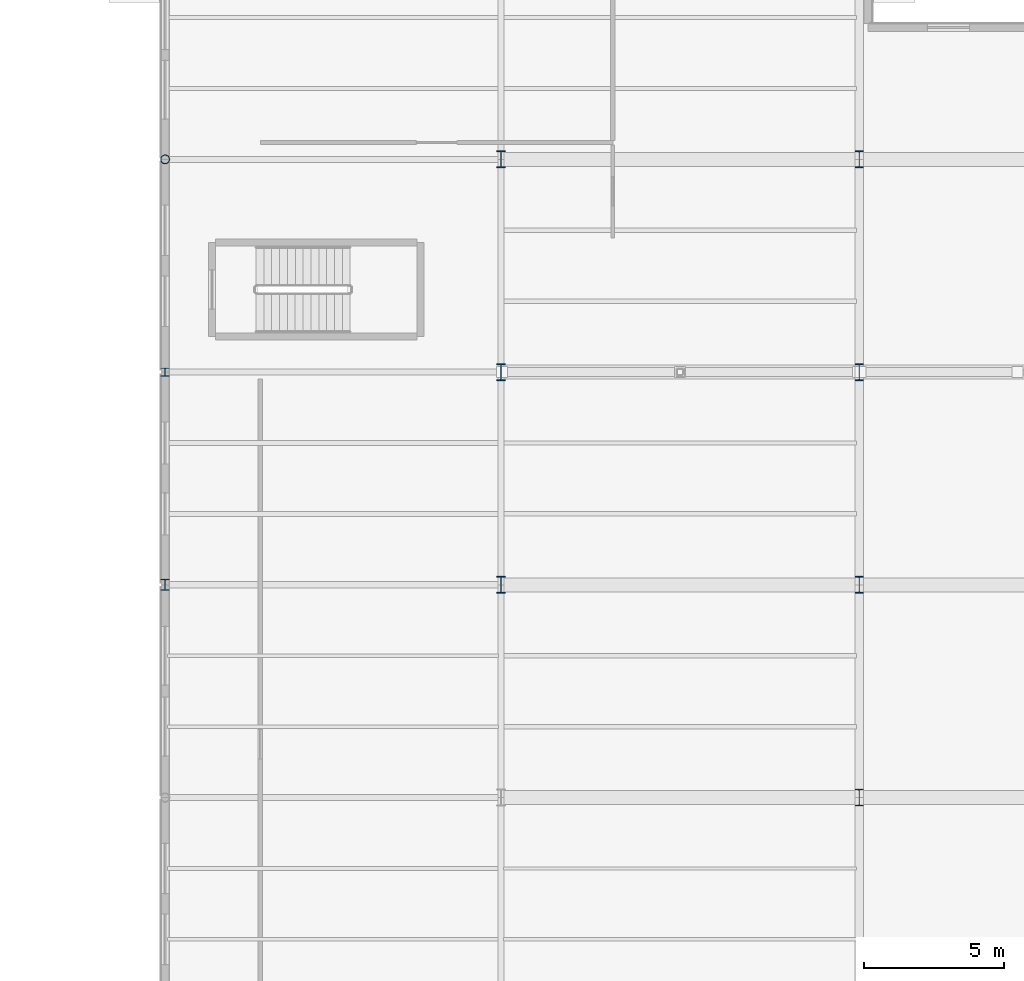
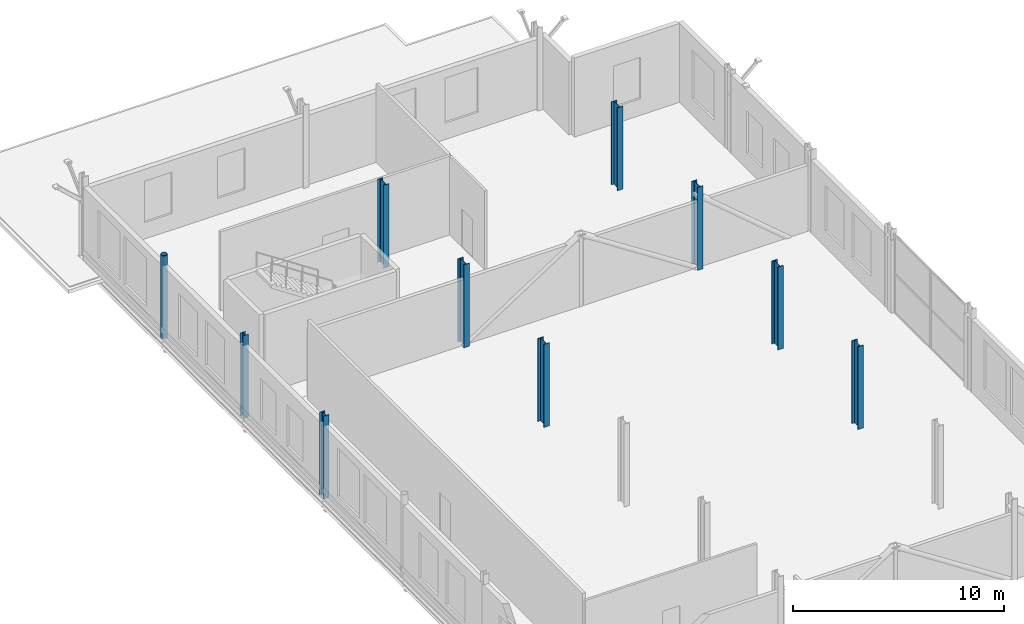
# One storey, part 14 of 120: 10 columns.
"""IFC4 building model written with IfcOpenShell, lengths in metres."""

from ifc_helpers import new_model, si_unit, direction, frame, origin, origin_2d, place, context, subcontext, project, spatial, hollow_circle, i_section, extrude, material, material_profile, profile_set, type_object, element, save


model = new_model("IFC4")

# Units and contexts
model_context = context("Model", 3, precision=1e-05, world=origin(), true_north=direction((0.0, 1.0)))
body_context = subcontext(model_context, "Body", "Model", "MODEL_VIEW")
ifc_project = project(units=[si_unit("LENGTHUNIT", "METRE"), si_unit("AREAUNIT", "SQUARE_METRE"), si_unit("VOLUMEUNIT", "CUBIC_METRE"), si_unit("PLANEANGLEUNIT", "RADIAN"), si_unit("MASSUNIT", "GRAM", prefix="KILO")], contexts=[model_context])

# Site, building, storey
site_placement = place(None, origin())
site = spatial("IfcSite", under=ifc_project, at=site_placement, CompositionType="ELEMENT")
building_placement = place(site_placement, origin())
building = spatial("IfcBuilding", under=site, at=building_placement, Name="Vekula Escarpment Museum", CompositionType="ELEMENT")
storey_placement = place(building_placement, frame((0.0, 0.0, 13.199951171875)))
storey = spatial("IfcBuildingStorey", under=building, at=storey_placement, Name="L03", CompositionType="ELEMENT", Elevation=13.199951171875)

# Columns
ifc_material_1 = material(Name="Steel S355", Category="steel")
ifc_material_profile_1 = material_profile(ifc_material_1, hollow_circle(Radius=0.161865234375, WallThickness=0.01611328125, at=origin_2d()), Name="CHS 323.9x16")
ifc_profile_set_1 = profile_set([ifc_material_profile_1], Name="Steel S355")
column_type_1 = type_object("IfcColumnType", Name="COL-S-CHS323", PredefinedType="COLUMN", material=ifc_profile_set_1)
column_1_placement = place(storey_placement, frame((167.0, 120.800048828125, 0.0), z_axis=(0.0, 0.0, 1.0), x_axis=(1.0, 0.0, 0.0)))
element("IfcColumn", 1, at=column_1_placement, inside=storey, type_object=column_type_1, Name="Column L03 (167.0,120.8)", PredefinedType="COLUMN", context=body_context, shape_type="SweptSolid", body=[
    extrude(hollow_circle(Radius=0.161865234375, WallThickness=0.01611328125, at=origin_2d()), origin(), (0.0, 0.0, 1.0), 4.800048828125),
])
ifc_material_2 = material(Name="Steel S355", Category="steel")
ifc_material_profile_2 = material_profile(ifc_material_2, i_section(OverallWidth=0.300048828125, OverallDepth=0.2900390625, WebThickness=0.008544921875, FlangeThickness=0.013916015625, FilletRadius=0.027099609375, at=origin_2d()), Name="HEA 300")
ifc_profile_set_2 = profile_set([ifc_material_profile_2], Name="Steel S355")
column_type_2 = type_object("IfcColumnType", Name="COL-S-HEA300", PredefinedType="COLUMN", material=ifc_profile_set_2)
column_2_placement = place(storey_placement, frame((167.0, 113.199951171875, 0.0), z_axis=(0.0, 0.0, 1.0), x_axis=(1.0, 0.0, 0.0)))
element("IfcColumn", 2, at=column_2_placement, inside=storey, type_object=column_type_2, Name="Column L03 (167.0,113.2)", PredefinedType="COLUMN", context=body_context, shape_type="SweptSolid", body=[
    extrude(i_section(OverallWidth=0.300048828125, OverallDepth=0.2900390625, WebThickness=0.008544921875, FlangeThickness=0.013916015625, FilletRadius=0.027099609375, at=origin_2d()), origin(), (0.0, 0.0, 1.0), 4.800048828125),
])
ifc_material_3 = material(Name="Steel S355", Category="steel")
ifc_material_profile_3 = material_profile(ifc_material_3, i_section(OverallWidth=0.300048828125, OverallDepth=0.39990234375, WebThickness=0.013427734375, FlangeThickness=0.02392578125, FilletRadius=0.027099609375, at=origin_2d()), Name="HEB 400")
ifc_profile_set_3 = profile_set([ifc_material_profile_3], Name="Steel S355")
column_type_3 = type_object("IfcColumnType", Name="COL-S-HEB400", PredefinedType="COLUMN", material=ifc_profile_set_3)
column_3_placement = place(storey_placement, frame((167.0, 105.60009765625, 0.0), z_axis=(0.0, 0.0, 1.0), x_axis=(1.0, 0.0, 0.0)))
element("IfcColumn", 3, at=column_3_placement, inside=storey, type_object=column_type_3, Name="Column L03 (167.0,105.6)", PredefinedType="COLUMN", context=body_context, shape_type="SweptSolid", body=[
    extrude(i_section(OverallWidth=0.300048828125, OverallDepth=0.39990234375, WebThickness=0.013427734375, FlangeThickness=0.02392578125, FilletRadius=0.027099609375, at=origin_2d()), origin(), (0.0, 0.0, 1.0), 4.800048828125),
])
ifc_material_4 = material(Name="Steel S355", Category="steel")
ifc_material_profile_4 = material_profile(ifc_material_4, i_section(OverallWidth=0.300048828125, OverallDepth=0.60009765625, WebThickness=0.015380859375, FlangeThickness=0.030029296875, FilletRadius=0.027099609375, at=origin_2d()), Name="HEB 600")
ifc_profile_set_4 = profile_set([ifc_material_profile_4], Name="Steel S355")
column_type_4 = type_object("IfcColumnType", Name="COL-S-HEB600", PredefinedType="COLUMN", material=ifc_profile_set_4)
for number, where, z_axis, x_axis, name in (
    (4, (179.0, 105.60009765625, 0.0), (0.0, 0.0, 1.0), (1.0, 0.0, 0.0), "Column L03 (179.0,105.6)"),
    (5, (179.0, 113.199951171875, 0.0), (0.0, 0.0, 1.0), (1.0, 0.0, 0.0), "Column L03 (179.0,113.2)"),
    (6, (179.0, 120.800048828125, 0.0), (0.0, 0.0, 1.0), (1.0, 0.0, 0.0), "Column L03 (179.0,120.8)"),
    (7, (191.800048828125, 98.0, 0.0), (0.0, 0.0, 1.0), (1.0, 0.0, 0.0), "Column L03 (191.8,98.0)"),
    (8, (191.800048828125, 105.60009765625, 0.0), (0.0, 0.0, 1.0), (1.0, 0.0, 0.0), "Column L03 (191.8,105.6)"),
    (9, (191.800048828125, 113.199951171875, 0.0), (0.0, 0.0, 1.0), (1.0, 0.0, 0.0), "Column L03 (191.8,113.2)"),
    (10, (191.800048828125, 120.800048828125, 0.0), (0.0, 0.0, 1.0), (1.0, 0.0, 0.0), "Column L03 (191.8,120.8)"),
):
    element("IfcColumn", number, at=place(storey_placement, frame(where, z_axis=z_axis, x_axis=x_axis)), inside=storey, type_object=column_type_4, Name=name, PredefinedType="COLUMN", context=body_context, shape_type="SweptSolid", body=[
        extrude(i_section(OverallWidth=0.300048828125, OverallDepth=0.60009765625, WebThickness=0.015380859375, FlangeThickness=0.030029296875, FilletRadius=0.027099609375, at=origin_2d()), origin(), (0.0, 0.0, 1.0), 4.800048828125),
    ])

save(model, "model.ifc")
